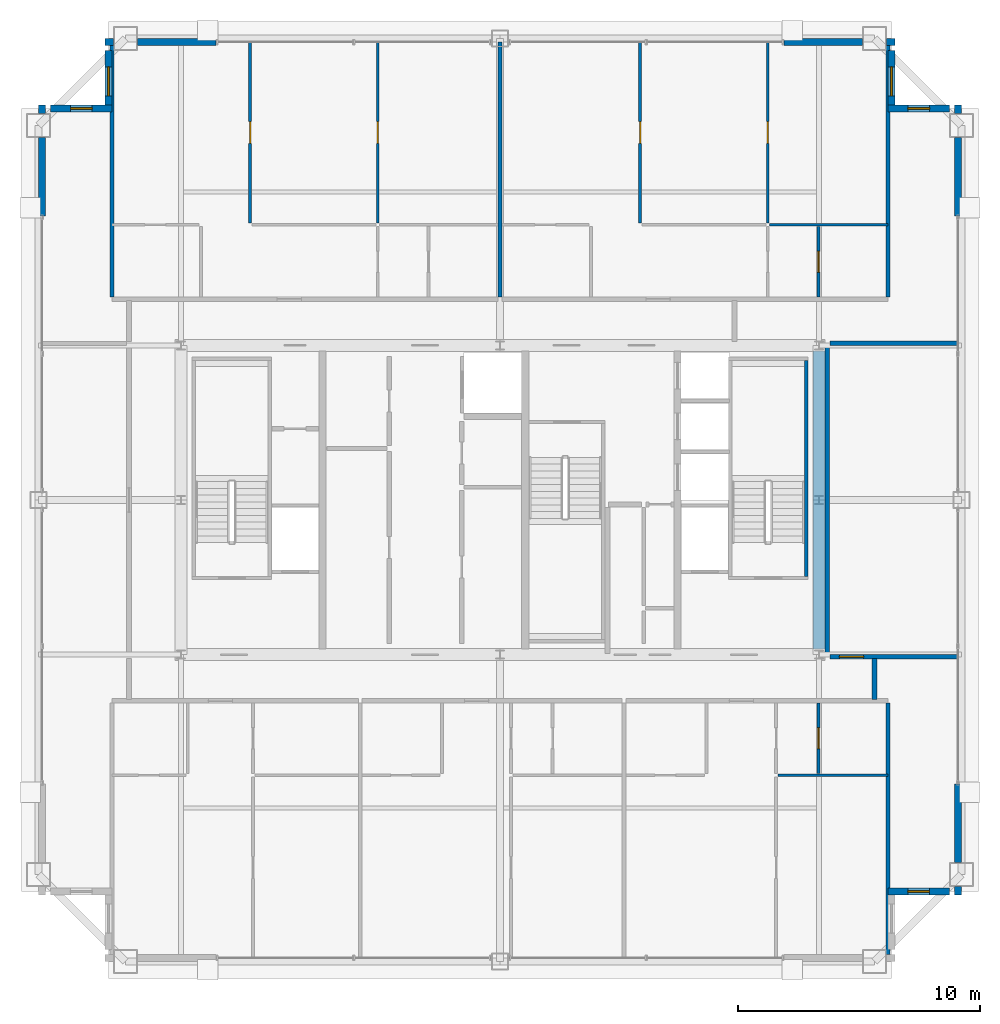
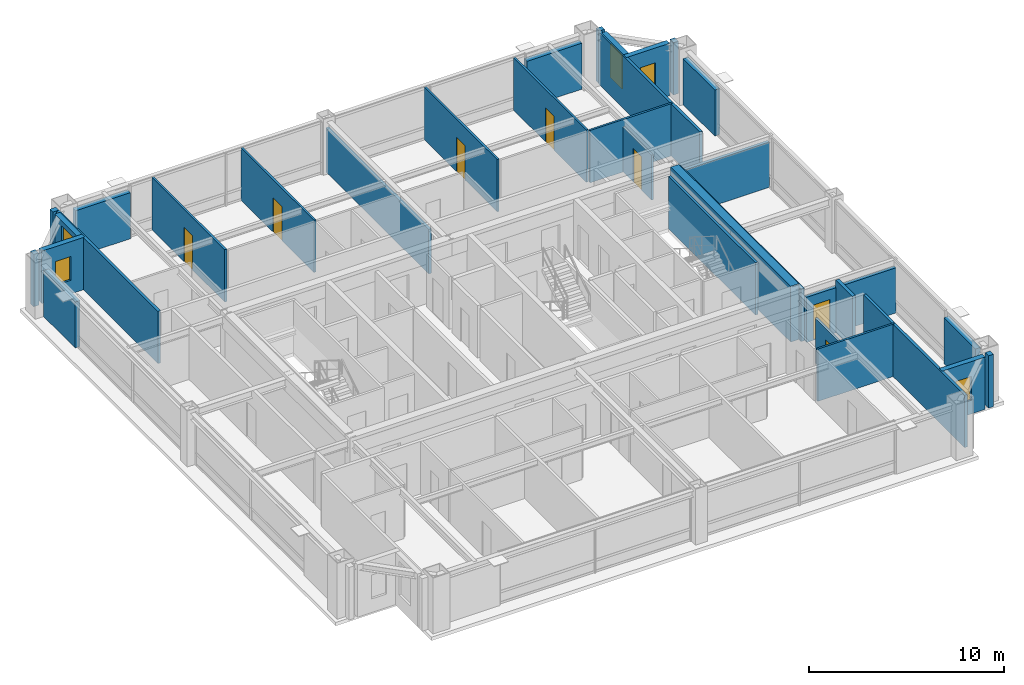
# One storey, part 33 of 35: 33 walls, 7 doors, 5 windows, 12 openings.
"""IFC4 building model written with IfcOpenShell, lengths in metres."""

from ifc_helpers import new_model, si_unit, direction, frame, frame_2d, origin, place, context, subcontext, project, spatial, rectangle, extrude, source, transform, mapped, material, layer, layer_set, type_object, element, fill, save


model = new_model("IFC4")

# Units and contexts
model_context = context("Model", 3, precision=1e-05, world=origin(), true_north=direction((0.0, 1.0)))
body_context = subcontext(model_context, "Body", "Model", "MODEL_VIEW")
ifc_project = project(units=[si_unit("LENGTHUNIT", "METRE"), si_unit("AREAUNIT", "SQUARE_METRE"), si_unit("VOLUMEUNIT", "CUBIC_METRE"), si_unit("PLANEANGLEUNIT", "RADIAN"), si_unit("MASSUNIT", "GRAM", prefix="KILO"), si_unit("THERMODYNAMICTEMPERATUREUNIT", "KELVIN"), si_unit("POWERUNIT", "WATT")], contexts=[model_context])

# Site, building, storey
site_placement = place(None, origin())
site = spatial("IfcSite", under=ifc_project, at=site_placement, CompositionType="ELEMENT")
building_placement = place(site_placement, origin())
building = spatial("IfcBuilding", under=site, at=building_placement, Name="Yuzanri Waterfront Tower", CompositionType="ELEMENT")
storey_placement = place(building_placement, frame((0.0, 0.0, 318.199951171875)))
storey = spatial("IfcBuildingStorey", under=building, at=storey_placement, Name="L85", CompositionType="ELEMENT", Elevation=318.199951171875)

# Wall, opening, door
ifc_material_1 = material(Name="Moisture-Resistant Gypsum Stud Wall", Category="gypsum")
ifc_layer_1 = layer(ifc_material_1, 0.1201171875)
ifc_layer_set_1 = layer_set([ifc_layer_1], Name="Moisture-Resistant Gypsum Stud Wall")
wall_type_1 = type_object("IfcWallType", Name="Bathroom and Kitchen Wet Partition 120", PredefinedType="PARTITIONING", material=ifc_layer_set_1)
wall_1_placement = place(storey_placement, frame((50.179931640625, 14.489990234375, 0.0), z_axis=(0.0, 0.0, 1.0), x_axis=(0.0, 1.0, 0.0)))
wall_1 = element("IfcWall", 1, at=wall_1_placement, inside=storey, type_object=wall_type_1, Name="L85 Partition UW-L85-HS3-SUB-2-W", PredefinedType="PARTITIONING", context=body_context, shape_type="SweptSolid", body=[
    extrude(rectangle(XDim=2.89990234375, YDim=0.1201171875, at=frame_2d((1.449951171875, 0.0))), origin(), (0.0, 0.0, 1.0), 2.824951171875),
])
opening_1_placement = place(wall_1_placement, frame((1.02490234375, 0.0, 0.0)))
opening_1 = element("IfcOpeningElement", 2, at=opening_1_placement, cuts=wall_1, Name="Opening ID-0850", PredefinedType="OPENING", context=body_context, shape_type="SweptSolid", body=[
    extrude(rectangle(XDim=0.85009765625, YDim=2.10009765625, at=frame_2d((0.425048828125, 1.050048828125))), frame((0.0, 0.074951171875, 0.0), z_axis=(0.0, -1.0, 0.0), x_axis=(1.0, 0.0, 0.0)), (0.0, 0.0, 1.0), 0.14990234375),
])
ifc_material_2 = material(Name="Moisture-Resistant Lacquered Timber", Category="wood")
door_type_1 = type_object("IfcDoorType", Name="En-Suite Bathroom and Kitchen Swing Door 850x2100", OperationType="NOTDEFINED", PredefinedType="DOOR", material=ifc_material_2)
shared_shape_1 = source(origin(), body_context, "Body", "SweptSolid", [
    extrude(rectangle(XDim=0.85009765625, YDim=2.10009765625, at=frame_2d((0.425048828125, 1.050048828125))), frame((0.0, 0.02490234375, 0.0), z_axis=(0.0, -1.0, 0.0), x_axis=(1.0, 0.0, 0.0)), (0.0, 0.0, 1.0), 0.050048828125),
])
door_1_placement = place(opening_1_placement, origin())
door_1 = element("IfcDoor", 3, at=door_1_placement, inside=storey, type_object=door_type_1, Name="L85 Suite Interior Room Door", OperationType="SINGLE_SWING_LEFT", OverallHeight=2.10009765625, OverallWidth=0.85009765625, PredefinedType="DOOR", context=body_context, shape_type="MappedRepresentation", body=[
    mapped(shared_shape_1, transform((0.0, 0.0, 0.0), scale=1.0)),
])
fill(opening_1, door_1)

wall_2_placement = place(storey_placement, frame((31.94189453125, 37.27001953125, 0.0), z_axis=(0.0, 0.0, 1.0), x_axis=(0.0, 1.0, 0.0)))
wall_2 = element("IfcWall", 4, at=wall_2_placement, inside=storey, type_object=wall_type_1, Name="L85 Partition UW-L85-HN1-SUB-3-W", PredefinedType="PARTITIONING", context=body_context, shape_type="SweptSolid", body=[
    extrude(rectangle(XDim=7.47998046875, YDim=0.1201171875, at=frame_2d((3.739990234375, 0.0))), origin(), (0.0, 0.0, 1.0), 3.280029296875),
])
opening_2_placement = place(wall_2_placement, frame((3.2900390625, 0.0, 0.0)))
opening_2 = element("IfcOpeningElement", 5, at=opening_2_placement, cuts=wall_2, Name="Opening ID-0900", PredefinedType="OPENING", context=body_context, shape_type="SweptSolid", body=[
    extrude(rectangle(XDim=0.89990234375, YDim=2.14990234375, at=frame_2d((0.449951171875, 1.074951171875))), frame((0.0, 0.074951171875, 0.0), z_axis=(0.0, -1.0, 0.0), x_axis=(1.0, 0.0, 0.0)), (0.0, 0.0, 1.0), 0.14990234375),
])
ifc_material_3 = material(Name="Stained Walnut Veneer Timber", Category="wood")
door_type_2 = type_object("IfcDoorType", Name="Bedroom and Study Interior Swing Door 900x2150", OperationType="NOTDEFINED", PredefinedType="DOOR", material=ifc_material_3)
shared_shape_2 = source(origin(), body_context, "Body", "SweptSolid", [
    extrude(rectangle(XDim=0.89990234375, YDim=2.14990234375, at=frame_2d((0.449951171875, 1.074951171875))), frame((0.0, 0.02490234375, 0.0), z_axis=(0.0, -1.0, 0.0), x_axis=(1.0, 0.0, 0.0)), (0.0, 0.0, 1.0), 0.050048828125),
])
door_2_placement = place(opening_2_placement, origin())
door_2 = element("IfcDoor", 6, at=door_2_placement, inside=storey, type_object=door_type_2, Name="L85 Suite Interior Room Door", OperationType="SINGLE_SWING_LEFT", OverallHeight=2.14990234375, OverallWidth=0.89990234375, PredefinedType="DOOR", context=body_context, shape_type="MappedRepresentation", body=[
    mapped(shared_shape_2, transform((0.0, 0.0, 0.0), scale=1.0)),
])
fill(opening_2, door_2)

wall_3_placement = place(storey_placement, frame((26.659912109375, 37.27001953125, 0.0), z_axis=(0.0, 0.0, 1.0), x_axis=(0.0, 1.0, 0.0)))
wall_3 = element("IfcWall", 7, at=wall_3_placement, inside=storey, type_object=wall_type_1, Name="L85 Partition UW-L85-HN1-SUB-5-W", PredefinedType="PARTITIONING", context=body_context, shape_type="SweptSolid", body=[
    extrude(rectangle(XDim=7.47998046875, YDim=0.1201171875, at=frame_2d((3.739990234375, 0.0))), origin(), (0.0, 0.0, 1.0), 3.280029296875),
])
opening_3_placement = place(wall_3_placement, frame((3.2900390625, 0.0, 0.0)))
opening_3 = element("IfcOpeningElement", 8, at=opening_3_placement, cuts=wall_3, Name="Opening ID-0900", PredefinedType="OPENING", context=body_context, shape_type="SweptSolid", body=[
    extrude(rectangle(XDim=0.89990234375, YDim=2.14990234375, at=frame_2d((0.449951171875, 1.074951171875))), frame((0.0, 0.074951171875, 0.0), z_axis=(0.0, -1.0, 0.0), x_axis=(1.0, 0.0, 0.0)), (0.0, 0.0, 1.0), 0.14990234375),
])
door_3_placement = place(opening_3_placement, origin())
door_3 = element("IfcDoor", 9, at=door_3_placement, inside=storey, type_object=door_type_2, Name="L85 Suite Interior Room Door", OperationType="SINGLE_SWING_LEFT", OverallHeight=2.14990234375, OverallWidth=0.89990234375, PredefinedType="DOOR", context=body_context, shape_type="MappedRepresentation", body=[
    mapped(shared_shape_2, transform((0.0, 0.0, 0.0), scale=1.0)),
])
fill(opening_3, door_3)

wall_4_placement = place(storey_placement, frame((50.179931640625, 34.2099609375, 0.0), z_axis=(0.0, 0.0, 1.0), x_axis=(0.0, 1.0, 0.0)))
wall_4 = element("IfcWall", 10, at=wall_4_placement, inside=storey, type_object=wall_type_1, Name="L85 Partition UW-L85-HN2-SUB-2-W", PredefinedType="PARTITIONING", context=body_context, shape_type="SweptSolid", body=[
    extrude(rectangle(XDim=2.900146484375, YDim=0.1201171875, at=frame_2d((1.4501953125, 0.0))), origin(), (0.0, 0.0, 1.0), 2.824951171875),
])
opening_4_placement = place(wall_4_placement, frame((1.02490234375, 0.0, 0.0)))
opening_4 = element("IfcOpeningElement", 11, at=opening_4_placement, cuts=wall_4, Name="Opening ID-0850", PredefinedType="OPENING", context=body_context, shape_type="SweptSolid", body=[
    extrude(rectangle(XDim=0.85009765625, YDim=2.10009765625, at=frame_2d((0.425048828125, 1.050048828125))), frame((0.0, 0.074951171875, 0.0), z_axis=(0.0, -1.0, 0.0), x_axis=(1.0, 0.0, 0.0)), (0.0, 0.0, 1.0), 0.14990234375),
])
door_4_placement = place(opening_4_placement, origin())
door_4 = element("IfcDoor", 12, at=door_4_placement, inside=storey, type_object=door_type_1, Name="L85 Suite Interior Room Door", OperationType="SINGLE_SWING_RIGHT", OverallHeight=2.10009765625, OverallWidth=0.85009765625, PredefinedType="DOOR", context=body_context, shape_type="MappedRepresentation", body=[
    mapped(shared_shape_1, transform((0.0, 0.0, 0.0), scale=1.0)),
])
fill(opening_4, door_4)

wall_5_placement = place(storey_placement, frame((48.08203125, 37.27001953125, 0.0), z_axis=(0.0, 0.0, 1.0), x_axis=(0.0, 1.0, 0.0)))
wall_5 = element("IfcWall", 13, at=wall_5_placement, inside=storey, type_object=wall_type_1, Name="L85 Partition UW-L85-HN2-SUB-3-W", PredefinedType="PARTITIONING", context=body_context, shape_type="SweptSolid", body=[
    extrude(rectangle(XDim=7.47998046875, YDim=0.1201171875, at=frame_2d((3.739990234375, 0.0))), origin(), (0.0, 0.0, 1.0), 3.280029296875),
])
opening_5_placement = place(wall_5_placement, frame((3.2900390625, 0.0, 0.0)))
opening_5 = element("IfcOpeningElement", 14, at=opening_5_placement, cuts=wall_5, Name="Opening ID-0900", PredefinedType="OPENING", context=body_context, shape_type="SweptSolid", body=[
    extrude(rectangle(XDim=0.89990234375, YDim=2.14990234375, at=frame_2d((0.449951171875, 1.074951171875))), frame((0.0, 0.074951171875, 0.0), z_axis=(0.0, -1.0, 0.0), x_axis=(1.0, 0.0, 0.0)), (0.0, 0.0, 1.0), 0.14990234375),
])
door_5_placement = place(opening_5_placement, origin())
door_5 = element("IfcDoor", 15, at=door_5_placement, inside=storey, type_object=door_type_2, Name="L85 Suite Interior Room Door", OperationType="SINGLE_SWING_LEFT", OverallHeight=2.14990234375, OverallWidth=0.89990234375, PredefinedType="DOOR", context=body_context, shape_type="MappedRepresentation", body=[
    mapped(shared_shape_2, transform((0.0, 0.0, 0.0), scale=1.0)),
])
fill(opening_5, door_5)

wall_6_placement = place(storey_placement, frame((42.800048828125, 37.27001953125, 0.0), z_axis=(0.0, 0.0, 1.0), x_axis=(0.0, 1.0, 0.0)))
wall_6 = element("IfcWall", 16, at=wall_6_placement, inside=storey, type_object=wall_type_1, Name="L85 Partition UW-L85-HN2-SUB-5-W", PredefinedType="PARTITIONING", context=body_context, shape_type="SweptSolid", body=[
    extrude(rectangle(XDim=7.47998046875, YDim=0.1201171875, at=frame_2d((3.739990234375, 0.0))), origin(), (0.0, 0.0, 1.0), 3.280029296875),
])
opening_6_placement = place(wall_6_placement, frame((3.2900390625, 0.0, 0.0)))
opening_6 = element("IfcOpeningElement", 17, at=opening_6_placement, cuts=wall_6, Name="Opening ID-0900", PredefinedType="OPENING", context=body_context, shape_type="SweptSolid", body=[
    extrude(rectangle(XDim=0.89990234375, YDim=2.14990234375, at=frame_2d((0.449951171875, 1.074951171875))), frame((0.0, 0.074951171875, 0.0), z_axis=(0.0, -1.0, 0.0), x_axis=(1.0, 0.0, 0.0)), (0.0, 0.0, 1.0), 0.14990234375),
])
door_6_placement = place(opening_6_placement, origin())
door_6 = element("IfcDoor", 18, at=door_6_placement, inside=storey, type_object=door_type_2, Name="L85 Suite Interior Room Door", OperationType="SINGLE_SWING_LEFT", OverallHeight=2.14990234375, OverallWidth=0.89990234375, PredefinedType="DOOR", context=body_context, shape_type="MappedRepresentation", body=[
    mapped(shared_shape_2, transform((0.0, 0.0, 0.0), scale=1.0)),
])
fill(opening_6, door_6)

# Wall, opening, window
ifc_material_4 = material(Name="Honed Chongqing Dark Basalt Stone", Category="masonry")
ifc_layer_2 = layer(ifc_material_4, 0.300048828125)
ifc_layer_set_2 = layer_set([ifc_layer_2], Name="Honed Chongqing Dark Basalt Stone")
wall_type_2 = type_object("IfcWallType", Name="Bronze Rainscreen Insulated Spandrel Portal Wall 300", PredefinedType="SOLIDWALL", material=ifc_layer_set_2)
wall_7_placement = place(storey_placement, frame((53.050048828125, 9.60009765625, 0.0), z_axis=(0.0, 0.0, 1.0), x_axis=(1.0, 0.0, 0.0)))
wall_7 = element("IfcWall", 19, at=wall_7_placement, inside=storey, type_object=wall_type_2, Name="L85 Notched Corner Masonry Wall SE-X", PredefinedType="SOLIDWALL", context=body_context, shape_type="SweptSolid", body=[
    extrude(rectangle(XDim=2.550048828125, YDim=0.300048828125, at=frame_2d((1.27490234375, 0.0))), origin(), (0.0, 0.0, 1.0), 3.280029296875),
])
opening_7_placement = place(wall_7_placement, frame((0.824951171875, 0.0, 0.85009765625)))
opening_7 = element("IfcOpeningElement", 20, at=opening_7_placement, cuts=wall_7, Name="Opening WN-05", PredefinedType="OPENING", context=body_context, shape_type="SweptSolid", body=[
    extrude(rectangle(XDim=0.89990234375, YDim=1.5, at=frame_2d((0.449951171875, 0.75))), frame((0.0, 0.1650390625, 0.0), z_axis=(0.0, -1.0, 0.0), x_axis=(1.0, 0.0, 0.0)), (0.0, 0.0, 1.0), 0.329833984375),
])
ifc_material_5 = material(Name="Double-Silver Low-E Insulated Glass", Category="glass")
window_type_1 = type_object("IfcWindowType", Name="Anodized Bronze Service and Stairwell Smoke-Vent Window 900x1500", PartitioningType="SINGLE_PANEL", PredefinedType="WINDOW", material=ifc_material_5)
shared_shape_3 = source(origin(), body_context, "Body", "SweptSolid", [
    extrude(rectangle(XDim=0.89990234375, YDim=1.5, at=frame_2d((0.449951171875, 0.75))), frame((0.0, 0.030029296875, 0.0), z_axis=(0.0, -1.0, 0.0), x_axis=(1.0, 0.0, 0.0)), (0.0, 0.0, 1.0), 0.06005859375),
])
window_1_placement = place(opening_7_placement, origin())
window_1 = element("IfcWindow", 21, at=window_1_placement, inside=storey, type_object=window_type_1, Name="L85 Notched Corner Window SE-X", OverallHeight=1.5, OverallWidth=0.89990234375, PartitioningType="SINGLE_PANEL", PredefinedType="WINDOW", context=body_context, shape_type="MappedRepresentation", body=[
    mapped(shared_shape_3, transform((0.0, 0.0, 0.0), scale=1.0)),
])
fill(opening_7, window_1)

wall_8_placement = place(storey_placement, frame((20.949951171875, 42.0, 0.0), z_axis=(0.0, 0.0, 1.0), x_axis=(-1.0, 0.0, 0.0)))
wall_8 = element("IfcWall", 22, at=wall_8_placement, inside=storey, type_object=wall_type_2, Name="L85 Notched Corner Masonry Wall NW-X", PredefinedType="SOLIDWALL", context=body_context, shape_type="SweptSolid", body=[
    extrude(rectangle(XDim=2.550048828125, YDim=0.300048828125, at=frame_2d((1.27490234375, 0.0))), origin(), (0.0, 0.0, 1.0), 3.280029296875),
])
opening_8_placement = place(wall_8_placement, frame((0.824951171875, 0.0, 0.85009765625)))
opening_8 = element("IfcOpeningElement", 23, at=opening_8_placement, cuts=wall_8, Name="Opening WN-05", PredefinedType="OPENING", context=body_context, shape_type="SweptSolid", body=[
    extrude(rectangle(XDim=0.89990234375, YDim=1.5, at=frame_2d((0.449951171875, 0.75))), frame((0.0, 0.1650390625, 0.0), z_axis=(0.0, -1.0, 0.0), x_axis=(1.0, 0.0, 0.0)), (0.0, 0.0, 1.0), 0.329833984375),
])
window_2_placement = place(opening_8_placement, origin())
window_2 = element("IfcWindow", 24, at=window_2_placement, inside=storey, type_object=window_type_1, Name="L85 Notched Corner Window NW-X", OverallHeight=1.5, OverallWidth=0.89990234375, PartitioningType="SINGLE_PANEL", PredefinedType="WINDOW", context=body_context, shape_type="MappedRepresentation", body=[
    mapped(shared_shape_3, transform((0.0, 0.0, 0.0), scale=1.0)),
])
fill(opening_8, window_2)

wall_9_placement = place(storey_placement, frame((20.800048828125, 44.39990234375, 0.0), z_axis=(0.0, 0.0, 1.0), x_axis=(0.0, -1.0, 0.0)))
wall_9 = element("IfcWall", 25, at=wall_9_placement, inside=storey, type_object=wall_type_2, Name="L85 Notched Corner Masonry Wall NW-Y", PredefinedType="SOLIDWALL", context=body_context, shape_type="SweptSolid", body=[
    extrude(rectangle(XDim=2.5498046875, YDim=0.300048828125, at=frame_2d((1.27490234375, 0.0))), origin(), (0.0, 0.0, 1.0), 3.280029296875),
])
opening_9_placement = place(wall_9_placement, frame((0.675048828125, 0.0, 0.85009765625)))
opening_9 = element("IfcOpeningElement", 26, at=opening_9_placement, cuts=wall_9, Name="Opening WN-02", PredefinedType="OPENING", context=body_context, shape_type="SweptSolid", body=[
    extrude(rectangle(XDim=1.199951171875, YDim=2.10009765625, at=frame_2d((0.60009765625, 1.050048828125))), frame((0.0, 0.1650390625, 0.0), z_axis=(0.0, -1.0, 0.0), x_axis=(1.0, 0.0, 0.0)), (0.0, 0.0, 1.0), 0.329833984375),
])
ifc_material_6 = material(Name="Double-Silver Low-E Insulated Glass", Category="glass")
window_type_2 = type_object("IfcWindowType", Name="Anodized Bronze Notched Corner Deep-Set Slot Window 1200x2100", PartitioningType="SINGLE_PANEL", PredefinedType="WINDOW", material=ifc_material_6)
shared_shape_4 = source(origin(), body_context, "Body", "SweptSolid", [
    extrude(rectangle(XDim=1.199951171875, YDim=2.10009765625, at=frame_2d((0.60009765625, 1.050048828125))), frame((0.0, 0.030029296875, 0.0), z_axis=(0.0, -1.0, 0.0), x_axis=(1.0, 0.0, 0.0)), (0.0, 0.0, 1.0), 0.06005859375),
])
window_3_placement = place(opening_9_placement, origin())
window_3 = element("IfcWindow", 27, at=window_3_placement, inside=storey, type_object=window_type_2, Name="L85 Notched Corner Window NW-Y", OverallHeight=2.10009765625, OverallWidth=1.199951171875, PartitioningType="SINGLE_PANEL", PredefinedType="WINDOW", context=body_context, shape_type="MappedRepresentation", body=[
    mapped(shared_shape_4, transform((0.0, 0.0, 0.0), scale=1.0)),
])
fill(opening_9, window_3)

wall_10_placement = place(storey_placement, frame((55.60009765625, 42.0, 0.0), z_axis=(0.0, 0.0, 1.0), x_axis=(-1.0, 0.0, 0.0)))
wall_10 = element("IfcWall", 28, at=wall_10_placement, inside=storey, type_object=wall_type_2, Name="L85 Notched Corner Masonry Wall NE-X", PredefinedType="SOLIDWALL", context=body_context, shape_type="SweptSolid", body=[
    extrude(rectangle(XDim=2.550048828125, YDim=0.300048828125, at=frame_2d((1.27490234375, 0.0))), origin(), (0.0, 0.0, 1.0), 3.280029296875),
])
opening_10_placement = place(wall_10_placement, frame((0.824951171875, 0.0, 0.85009765625)))
opening_10 = element("IfcOpeningElement", 29, at=opening_10_placement, cuts=wall_10, Name="Opening WN-05", PredefinedType="OPENING", context=body_context, shape_type="SweptSolid", body=[
    extrude(rectangle(XDim=0.89990234375, YDim=1.5, at=frame_2d((0.449951171875, 0.75))), frame((0.0, 0.1650390625, 0.0), z_axis=(0.0, -1.0, 0.0), x_axis=(1.0, 0.0, 0.0)), (0.0, 0.0, 1.0), 0.329833984375),
])
window_4_placement = place(opening_10_placement, origin())
window_4 = element("IfcWindow", 30, at=window_4_placement, inside=storey, type_object=window_type_1, Name="L85 Notched Corner Window NE-X", OverallHeight=1.5, OverallWidth=0.89990234375, PartitioningType="SINGLE_PANEL", PredefinedType="WINDOW", context=body_context, shape_type="MappedRepresentation", body=[
    mapped(shared_shape_3, transform((0.0, 0.0, 0.0), scale=1.0)),
])
fill(opening_10, window_4)

wall_11_placement = place(storey_placement, frame((53.199951171875, 41.85009765625, 0.0), z_axis=(0.0, 0.0, 1.0), x_axis=(0.0, 1.0, 0.0)))
wall_11 = element("IfcWall", 31, at=wall_11_placement, inside=storey, type_object=wall_type_2, Name="L85 Notched Corner Masonry Wall NE-Y", PredefinedType="SOLIDWALL", context=body_context, shape_type="SweptSolid", body=[
    extrude(rectangle(XDim=2.5498046875, YDim=0.300048828125, at=frame_2d((1.27490234375, 0.0))), origin(), (0.0, 0.0, 1.0), 3.280029296875),
])
opening_11_placement = place(wall_11_placement, frame((0.675048828125, 0.0, 0.85009765625)))
opening_11 = element("IfcOpeningElement", 32, at=opening_11_placement, cuts=wall_11, Name="Opening WN-02", PredefinedType="OPENING", context=body_context, shape_type="SweptSolid", body=[
    extrude(rectangle(XDim=1.199951171875, YDim=2.10009765625, at=frame_2d((0.60009765625, 1.050048828125))), frame((0.0, 0.1650390625, 0.0), z_axis=(0.0, -1.0, 0.0), x_axis=(1.0, 0.0, 0.0)), (0.0, 0.0, 1.0), 0.329833984375),
])
window_5_placement = place(opening_11_placement, origin())
window_5 = element("IfcWindow", 33, at=window_5_placement, inside=storey, type_object=window_type_2, Name="L85 Notched Corner Window NE-Y", OverallHeight=2.10009765625, OverallWidth=1.199951171875, PartitioningType="SINGLE_PANEL", PredefinedType="WINDOW", context=body_context, shape_type="MappedRepresentation", body=[
    mapped(shared_shape_4, transform((0.0, 0.0, 0.0), scale=1.0)),
])
fill(opening_11, window_5)

# Wall, opening, door
ifc_material_7 = material(Name="Autoclaved Aerated Concrete Blockwork", Category="masonry")
ifc_layer_3 = layer(ifc_material_7, 0.199951171875)
ifc_layer_set_3 = layer_set([ifc_layer_3], Name="Autoclaved Aerated Concrete Blockwork")
wall_type_3 = type_object("IfcWallType", Name="Corridor and Unit Party Fire Wall 200", PredefinedType="PARTITIONING", material=ifc_layer_set_3)
wall_12_placement = place(storey_placement, frame((50.64990234375, 19.31005859375, 0.0), z_axis=(0.0, 0.0, 1.0), x_axis=(1.0, 0.0, 0.0)))
wall_12 = element("IfcWall", 34, at=wall_12_placement, inside=storey, type_object=wall_type_3, Name="L85 Partition UW-L85-048-CS", PredefinedType="PARTITIONING", context=body_context, shape_type="SweptSolid", body=[
    extrude(rectangle(XDim=5.300048828125, YDim=0.199951171875, at=frame_2d((2.64990234375, 0.0))), origin(), (0.0, 0.0, 1.0), 2.824951171875),
])
opening_12_placement = place(wall_12_placement, frame((0.39990234375, 0.0, 0.0)))
opening_12 = element("IfcOpeningElement", 35, at=opening_12_placement, cuts=wall_12, Name="Opening FD-1000", PredefinedType="OPENING", context=body_context, shape_type="SweptSolid", body=[
    extrude(rectangle(XDim=1.0, YDim=2.199951171875, at=frame_2d((0.5, 1.10009765625))), frame((0.0, 0.11474609375, 0.0), z_axis=(0.0, -1.0, 0.0), x_axis=(1.0, 0.0, 0.0)), (0.0, 0.0, 1.0), 0.229736328125),
])
ifc_material_8 = material(Name="Engineered Oak Fire-Rated Timber", Category="wood")
door_type_3 = type_object("IfcDoorType", Name="Guestroom and Apartment Entrance Fire Door 1000x2200", OperationType="NOTDEFINED", PredefinedType="DOOR", material=ifc_material_8)
shared_shape_5 = source(origin(), body_context, "Body", "SweptSolid", [
    extrude(rectangle(XDim=1.0, YDim=2.199951171875, at=frame_2d((0.5, 1.10009765625))), frame((0.0, 0.02490234375, 0.0), z_axis=(0.0, -1.0, 0.0), x_axis=(1.0, 0.0, 0.0)), (0.0, 0.0, 1.0), 0.050048828125),
])
door_7_placement = place(opening_12_placement, origin())
door_7 = element("IfcDoor", 36, at=door_7_placement, inside=storey, type_object=door_type_3, Name="L85 High-Rise E Horizon Club Room Entrance Door", OperationType="SINGLE_SWING_LEFT", OverallHeight=2.199951171875, OverallWidth=1.0, PredefinedType="DOOR", context=body_context, shape_type="MappedRepresentation", body=[
    mapped(shared_shape_5, transform((0.0, 0.0, 0.0), scale=1.0)),
])
fill(opening_12, door_7)

# Walls
ifc_material_9 = material(Name="Concrete C45", Category="concrete")
ifc_layer_4 = layer(ifc_material_9, 0.47998046875)
ifc_layer_set_4 = layer_set([ifc_layer_4], Name="Concrete C45")
wall_type_4 = type_object("IfcWallType", Name="Concrete C45 High-Rise Core Shear Wall 480", PredefinedType="SHEAR", material=ifc_layer_set_4)
shared_shape_6 = source(origin(), body_context, "Body", "SweptSolid", [
    extrude(rectangle(XDim=12.320068359375, YDim=0.47998046875, at=frame_2d((6.16015625, 0.0))), origin(), (0.0, 0.0, 1.0), 3.5),
])
wall_13_placement = place(storey_placement, frame((50.199951171875, 19.639892578125, 0.0), z_axis=(0.0, 0.0, 1.0), x_axis=(0.0, 1.0, 0.0)))
element("IfcWall", 37, at=wall_13_placement, inside=storey, type_object=wall_type_4, Name="L85 Core East Shear Wall", PredefinedType="SHEAR", context=body_context, shape_type="MappedRepresentation", body=[
    mapped(shared_shape_6, transform((0.0, 0.0, 0.0), scale=1.0)),
])
shared_shape_7 = source(origin(), body_context, "Body", "SweptSolid", [
    extrude(rectangle(XDim=3.25, YDim=0.300048828125, at=frame_2d((1.625, 0.0))), origin(), (0.0, 0.0, 1.0), 2.885009765625),
])
for number, where, z_axis, x_axis, name in (
    (38, (22.0, 44.75, 0.0), (0.0, 0.0, 1.0), (1.0, 0.0, 0.0), "L85 N Left Braced Masonry Shoulder"),
    (39, (48.75, 44.75, 0.0), (0.0, 0.0, 1.0), (1.0, 0.0, 0.0), "L85 N Right Braced Masonry Shoulder"),
    (40, (18.050048828125, 37.550048828125, 0.0), (0.0, 0.0, 1.0), (0.0, 1.0, 0.0), "L85 W Right Braced Masonry Shoulder"),
    (41, (55.949951171875, 10.800048828125, 0.0), (0.0, 0.0, 1.0), (0.0, 1.0, 0.0), "L85 E Left Braced Masonry Shoulder"),
    (42, (55.949951171875, 37.550048828125, 0.0), (0.0, 0.0, 1.0), (0.0, 1.0, 0.0), "L85 E Right Braced Masonry Shoulder"),
):
    element("IfcWall", number, at=place(storey_placement, frame(where, z_axis=z_axis, x_axis=x_axis)), inside=storey, type_object=wall_type_2, Name=name, PredefinedType="SOLIDWALL", context=body_context, shape_type="MappedRepresentation", body=[
        mapped(shared_shape_7, transform((0.0, 0.0, 0.0), scale=1.0)),
    ])
shared_shape_8 = source(origin(), body_context, "Body", "SweptSolid", [
    extrude(rectangle(XDim=0.35009765625, YDim=0.300048828125, at=frame_2d((0.175048828125, 0.0))), origin(), (0.0, 0.0, 1.0), 3.280029296875),
])
for number, where, z_axis, x_axis, name in (
    (43, (20.64990234375, 44.75, 0.0), (0.0, 0.0, 1.0), (1.0, 0.0, 0.0), "L85 Corner Column Shoulder Return CNW"),
    (44, (53.0, 44.75, 0.0), (0.0, 0.0, 1.0), (1.0, 0.0, 0.0), "L85 Corner Column Shoulder Return CNE"),
    (45, (55.949951171875, 9.449951171875, 0.0), (0.0, 0.0, 1.0), (0.0, 1.0, 0.0), "L85 Corner Column Shoulder Return CES"),
):
    element("IfcWall", number, at=place(storey_placement, frame(where, z_axis=z_axis, x_axis=x_axis)), inside=storey, type_object=wall_type_2, Name=name, PredefinedType="SOLIDWALL", context=body_context, shape_type="MappedRepresentation", body=[
        mapped(shared_shape_8, transform((0.0, 0.0, 0.0), scale=1.0)),
    ])
shared_shape_9 = source(origin(), body_context, "Body", "SweptSolid", [
    extrude(rectangle(XDim=0.349853515625, YDim=0.300048828125, at=frame_2d((0.1748046875, 0.0))), origin(), (0.0, 0.0, 1.0), 3.280029296875),
])
for number, where, z_axis, x_axis, name in (
    (46, (18.050048828125, 41.800048828125, 0.0), (0.0, 0.0, 1.0), (0.0, 1.0, 0.0), "L85 Corner Column Shoulder Return CWN"),
    (47, (55.949951171875, 41.800048828125, 0.0), (0.0, 0.0, 1.0), (0.0, 1.0, 0.0), "L85 Corner Column Shoulder Return CEN"),
):
    element("IfcWall", number, at=place(storey_placement, frame(where, z_axis=z_axis, x_axis=x_axis)), inside=storey, type_object=wall_type_2, Name=name, PredefinedType="SOLIDWALL", context=body_context, shape_type="MappedRepresentation", body=[
        mapped(shared_shape_9, transform((0.0, 0.0, 0.0), scale=1.0)),
    ])
ifc_material_10 = material(Name="Concrete C40", Category="concrete")
ifc_layer_5 = layer(ifc_material_10, 0.139892578125)
ifc_layer_set_5 = layer_set([ifc_layer_5], Name="Concrete C40")
wall_type_5 = type_object("IfcWallType", Name="Core Stair Liner and Hoistway Shaft Wall 140", PredefinedType="SOLIDWALL", material=ifc_layer_set_5)
shared_shape_10 = source(origin(), body_context, "Body", "SweptSolid", [
    extrude(rectangle(XDim=8.940185546875, YDim=0.139892578125, at=frame_2d((4.47021484375, 0.0))), origin(), (0.0, 0.0, 1.0), 3.280029296875),
])
wall_14_placement = place(storey_placement, frame((49.669921875, 22.639892578125, 0.0), z_axis=(0.0, 0.0, 1.0), x_axis=(0.0, 1.0, 0.0)))
element("IfcWall", 48, at=wall_14_placement, inside=storey, type_object=wall_type_5, Name="L85 Stair ST-02 East Shaft Wall", PredefinedType="SOLIDWALL", context=body_context, shape_type="MappedRepresentation", body=[
    mapped(shared_shape_10, transform((0.0, 0.0, 0.0), scale=1.0)),
])
shared_shape_11 = source(origin(), body_context, "Body", "SweptSolid", [
    extrude(rectangle(XDim=12.780029296875, YDim=0.199951171875, at=frame_2d((6.39013671875, 0.0))), origin(), (0.0, 0.0, 1.0), 3.280029296875),
])
wall_15_placement = place(storey_placement, frame((50.544921875, 19.409912109375, 0.0), z_axis=(0.0, 0.0, 1.0), x_axis=(0.0, 1.0, 0.0)))
element("IfcWall", 49, at=wall_15_placement, inside=storey, type_object=wall_type_3, Name="L85-048 Wing Inner Core-Side Wall", PredefinedType="PARTITIONING", context=body_context, shape_type="MappedRepresentation", body=[
    mapped(shared_shape_11, transform((0.0, 0.0, 0.0), scale=1.0)),
])
shared_shape_12 = source(origin(), body_context, "Body", "SweptSolid", [
    extrude(rectangle(XDim=5.300048828125, YDim=0.199951171875, at=frame_2d((2.64990234375, 0.0))), origin(), (0.0, 0.0, 1.0), 2.824951171875),
])
wall_16_placement = place(storey_placement, frame((50.64990234375, 32.2900390625, 0.0), z_axis=(0.0, 0.0, 1.0), x_axis=(1.0, 0.0, 0.0)))
element("IfcWall", 50, at=wall_16_placement, inside=storey, type_object=wall_type_3, Name="L85-048 Wing North Wall", PredefinedType="PARTITIONING", context=body_context, shape_type="MappedRepresentation", body=[
    mapped(shared_shape_12, transform((0.0, 0.0, 0.0), scale=1.0)),
])
shared_shape_13 = source(origin(), body_context, "Body", "SweptSolid", [
    extrude(rectangle(XDim=1.699951171875, YDim=0.199951171875, at=frame_2d((0.85009765625, 0.0))), origin(), (0.0, 0.0, 1.0), 3.280029296875),
])
wall_17_placement = place(storey_placement, frame((52.5, 17.550048828125, 0.0), z_axis=(0.0, 0.0, 1.0), x_axis=(0.0, 1.0, 0.0)))
element("IfcWall", 51, at=wall_17_placement, inside=storey, type_object=wall_type_3, Name="L85 South Foyer East End Wall", PredefinedType="PARTITIONING", context=body_context, shape_type="MappedRepresentation", body=[
    mapped(shared_shape_13, transform((0.0, 0.0, 0.0), scale=1.0)),
])
ifc_material_11 = material(Name="Gypsum Fireboard Acoustic Stud Wall", Category="gypsum")
ifc_layer_6 = layer(ifc_material_11, 0.159912109375)
ifc_layer_set_6 = layer_set([ifc_layer_6], Name="Gypsum Fireboard Acoustic Stud Wall")
wall_type_6 = type_object("IfcWallType", Name="Acoustic Suite Demising Partition 160", PredefinedType="PARTITIONING", material=ifc_layer_set_6)
shared_shape_14 = source(origin(), body_context, "Body", "SweptSolid", [
    extrude(rectangle(XDim=10.389892578125, YDim=0.159912109375, at=frame_2d((5.19482421875, 0.0))), origin(), (0.0, 0.0, 1.0), 3.280029296875),
])
wall_18_placement = place(storey_placement, frame((53.050048828125, 7.0, 0.0), z_axis=(0.0, 0.0, 1.0), x_axis=(0.0, 1.0, 0.0)))
element("IfcWall", 52, at=wall_18_placement, inside=storey, type_object=wall_type_6, Name="L85 South Band East End Wall", PredefinedType="PARTITIONING", context=body_context, shape_type="MappedRepresentation", body=[
    mapped(shared_shape_14, transform((0.0, 0.0, 0.0), scale=1.0)),
])
shared_shape_15 = source(origin(), body_context, "Body", "SweptSolid", [
    extrude(rectangle(XDim=4.552978515625, YDim=0.1201171875, at=frame_2d((2.2763671875, 0.0))), origin(), (0.0, 0.0, 1.0), 3.280029296875),
])
wall_19_placement = place(storey_placement, frame((48.507080078125, 14.409912109375, 0.0), z_axis=(0.0, 0.0, 1.0), x_axis=(1.0, 0.0, 0.0)))
element("IfcWall", 53, at=wall_19_placement, inside=storey, type_object=wall_type_1, Name="L85 Partition UW-L85-HS3-SUB-3-N", PredefinedType="PARTITIONING", context=body_context, shape_type="MappedRepresentation", body=[
    mapped(shared_shape_15, transform((0.0, 0.0, 0.0), scale=1.0)),
])
shared_shape_16 = source(origin(), body_context, "Body", "SweptSolid", [
    extrude(rectangle(XDim=10.5400390625, YDim=0.159912109375, at=frame_2d((5.27001953125, 0.0))), origin(), (0.0, 0.0, 1.0), 2.787109375),
])
wall_20_placement = place(storey_placement, frame((37.0, 34.2099609375, 0.0), z_axis=(0.0, 0.0, 1.0), x_axis=(0.0, 1.0, 0.0)))
element("IfcWall", 54, at=wall_20_placement, inside=storey, type_object=wall_type_6, Name="L85-HN1 Party Wall", PredefinedType="PARTITIONING", context=body_context, shape_type="MappedRepresentation", body=[
    mapped(shared_shape_16, transform((0.0, 0.0, 0.0), scale=1.0)),
])
shared_shape_17 = source(origin(), body_context, "Body", "SweptSolid", [
    extrude(rectangle(XDim=4.89794921875, YDim=0.1201171875, at=frame_2d((2.448974609375, 0.0))), origin(), (0.0, 0.0, 1.0), 3.280029296875),
])
wall_21_placement = place(storey_placement, frame((48.162109375, 37.18994140625, 0.0), z_axis=(0.0, 0.0, 1.0), x_axis=(1.0, 0.0, 0.0)))
element("IfcWall", 55, at=wall_21_placement, inside=storey, type_object=wall_type_1, Name="L85 Partition UW-L85-HN2-SUB-3-S", PredefinedType="PARTITIONING", context=body_context, shape_type="MappedRepresentation", body=[
    mapped(shared_shape_17, transform((0.0, 0.0, 0.0), scale=1.0)),
])
shared_shape_18 = source(origin(), body_context, "Body", "SweptSolid", [
    extrude(rectangle(XDim=10.39013671875, YDim=0.159912109375, at=frame_2d((5.195068359375, 0.0))), origin(), (0.0, 0.0, 1.0), 3.280029296875),
])
for number, where, z_axis, x_axis, name in (
    (56, (20.949951171875, 34.2099609375, 0.0), (0.0, 0.0, 1.0), (0.0, 1.0, 0.0), "L85 North Band West End Wall"),
    (57, (53.050048828125, 34.2099609375, 0.0), (0.0, 0.0, 1.0), (0.0, 1.0, 0.0), "L85 North Band East End Wall"),
):
    element("IfcWall", number, at=place(storey_placement, frame(where, z_axis=z_axis, x_axis=x_axis)), inside=storey, type_object=wall_type_6, Name=name, PredefinedType="PARTITIONING", context=body_context, shape_type="MappedRepresentation", body=[
        mapped(shared_shape_18, transform((0.0, 0.0, 0.0), scale=1.0)),
    ])

save(model, "model.ifc")
